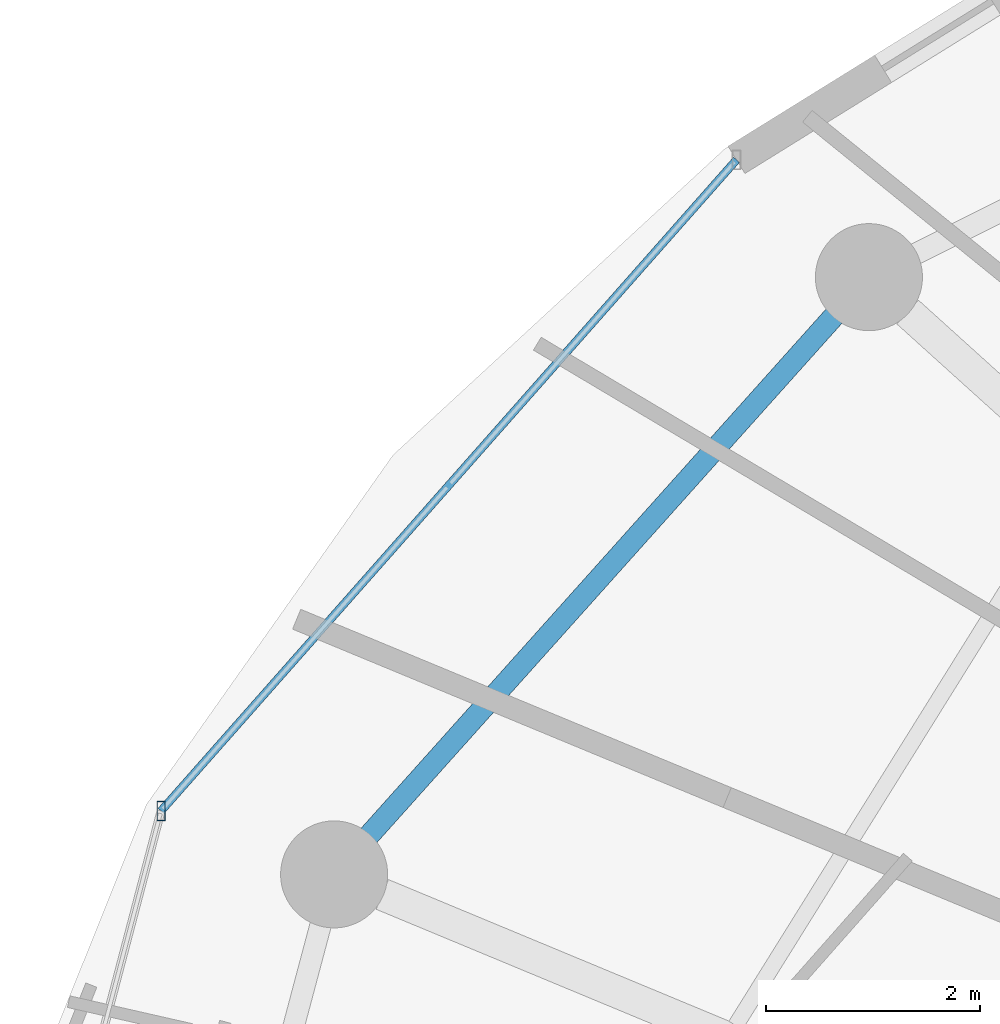
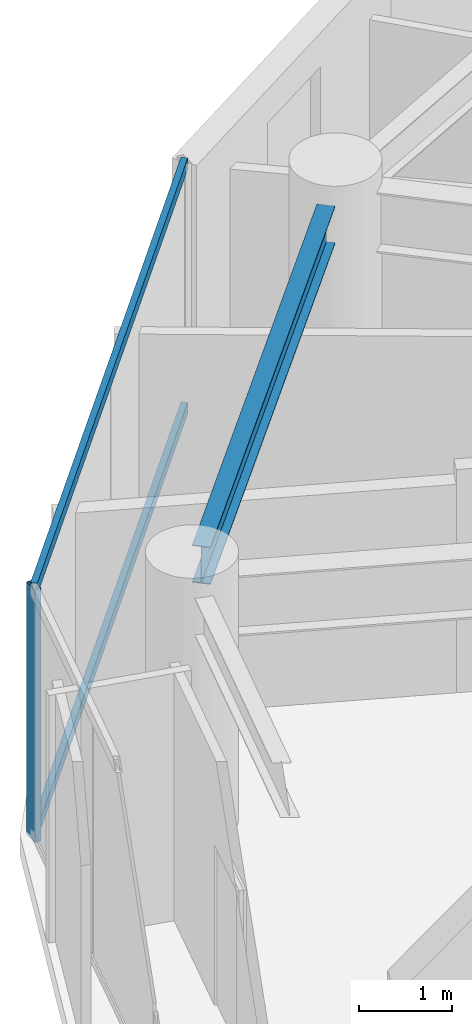
# One storey, part 8 of 28: 3 members, 1 beam, 1 element without a shape of its own.
"""IFC4 building model written with IfcOpenShell, lengths in metres."""

from ifc_helpers import new_model, si_unit, direction, frame, origin, origin_2d, place, context, subcontext, project, spatial, hollow_rectangle, i_section, extrude, material, material_profile, profile_set, type_object, element, aggregate, save


model = new_model("IFC4")

# Units and contexts
model_context = context("Model", 3, precision=1e-05, world=origin(), true_north=direction((0.0, 1.0)))
body_context = subcontext(model_context, "Body", "Model", "MODEL_VIEW")
ifc_project = project(units=[si_unit("LENGTHUNIT", "METRE"), si_unit("AREAUNIT", "SQUARE_METRE"), si_unit("VOLUMEUNIT", "CUBIC_METRE"), si_unit("PLANEANGLEUNIT", "RADIAN"), si_unit("MASSUNIT", "GRAM", prefix="KILO")], contexts=[model_context])

# Site, building, storey
site_placement = place(None, origin())
site = spatial("IfcSite", under=ifc_project, at=site_placement, CompositionType="ELEMENT")
building_placement = place(site_placement, origin())
building = spatial("IfcBuilding", under=site, at=building_placement, Name="Vorneva Point Tower", CompositionType="ELEMENT")
storey_placement = place(building_placement, frame((0.0, 0.0, 143.10009765625)))
storey = spatial("IfcBuildingStorey", under=building, at=storey_placement, Name="L38", CompositionType="ELEMENT", Elevation=143.10009765625)

# Beam
ifc_material_1 = material(Name="Steel S355", Category="steel")
ifc_material_profile_1 = material_profile(ifc_material_1, i_section(OverallWidth=0.199951171875, OverallDepth=0.491943359375, WebThickness=0.0087890625, FlangeThickness=0.011962890625, at=origin_2d()), Name="50B1")
ifc_profile_set_1 = profile_set([ifc_material_profile_1], Name="Steel S355")
beam_type = type_object("IfcBeamType", Name="BM-SPN-50B1", PredefinedType="SPANDREL", material=ifc_profile_set_1)
beam_placement = place(storey_placement, frame((21.377685546875, 37.80078125, 2.993896484375), z_axis=(-0.667111118975, -0.74495822362, 0.0), x_axis=(0.74495822362, -0.667111118975, 0.0)))
element("IfcBeam", 1, at=beam_placement, inside=storey, type_object=beam_type, Name="L38 Perimeter Spandrel Ring Beam 07", PredefinedType="SPANDREL", context=body_context, shape_type="SweptSolid", body=[
    extrude(i_section(OverallWidth=0.199951171875, OverallDepth=0.491943359375, WebThickness=0.0087890625, FlangeThickness=0.011962890625, at=origin_2d()), origin(), (0.0, 0.0, 1.0), 6.52001953125),
])

# Curtain wall, members
ifc_material_2 = material(Name="Pale anodised aluminium", Category="aluminium")
curtain_wall_type = type_object("IfcCurtainWallType", Name="CW-RES-SYS", PredefinedType="NOTDEFINED", material=ifc_material_2)
curtain_wall_placement = place(storey_placement, origin())
curtain_wall = element("IfcCurtainWall", 2, at=curtain_wall_placement, inside=storey, type_object=curtain_wall_type, Name="L38 Unitised Curtain Wall CW-L38-R02", PredefinedType="NOTDEFINED")
ifc_material_profile_2 = material_profile(ifc_material_2, hollow_rectangle(XDim=0.074951171875, YDim=0.179931640625, WallThickness=0.00390625, at=origin_2d()), Name="AL-MUL 180x75x4")
ifc_profile_set_2 = profile_set([ifc_material_profile_2], Name="Pale anodised aluminium")
member_type_1 = type_object("IfcMemberType", Name="CW-MUL-180", PredefinedType="MULLION", material=ifc_profile_set_2)
member_1_placement = place(storey_placement, frame((15.087890625, 33.17529296875, -0.0400390625), z_axis=(0.0, 0.0, 1.0), x_axis=(1.0, 0.0, 0.0)))
member_1 = element("IfcMember", 3, at=member_1_placement, type_object=member_type_1, Name="CW-L38-R02 Mullion 02", PredefinedType="MULLION", context=body_context, shape_type="SweptSolid", body=[
    extrude(hollow_rectangle(XDim=0.074951171875, YDim=0.179931640625, WallThickness=0.00390625, at=origin_2d()), origin(), (0.0, 0.0, 1.0), 3.31005859375),
])
ifc_material_profile_3 = material_profile(ifc_material_2, hollow_rectangle(XDim=0.074951171875, YDim=0.14990234375, WallThickness=0.00390625, at=origin_2d()), Name="AL-TRN 150x75x4")
ifc_profile_set_3 = profile_set([ifc_material_profile_3], Name="Pale anodised aluminium")
member_type_2 = type_object("IfcMemberType", Name="CW-TRN-150", PredefinedType="USERDEFINED", material=ifc_profile_set_3)
member_2_placement = place(storey_placement, frame((20.4638671875, 39.25830078125, 0.02001953125), z_axis=(-0.662218216609, -0.749311039283, 0.0), x_axis=(0.749311039283, -0.662218216609, 0.0)))
member_2 = element("IfcMember", 4, at=member_2_placement, type_object=member_type_2, Name="CW-L38-R02 Transom 01.1", ObjectType="TRANSOM", PredefinedType="USERDEFINED", context=body_context, shape_type="SweptSolid", body=[
    extrude(hollow_rectangle(XDim=0.074951171875, YDim=0.14990234375, WallThickness=0.00390625, at=origin_2d()), origin(), (0.0, 0.0, 1.0), 8.1181640625),
])
member_3_placement = place(storey_placement, frame((20.4638671875, 39.25830078125, 3.219970703125), z_axis=(-0.662218216609, -0.749311039283, 0.0), x_axis=(0.749311039283, -0.662218216609, 0.0)))
member_3 = element("IfcMember", 5, at=member_3_placement, type_object=member_type_2, Name="CW-L38-R02 Transom 01.2", ObjectType="TRANSOM", PredefinedType="USERDEFINED", context=body_context, shape_type="SweptSolid", body=[
    extrude(hollow_rectangle(XDim=0.074951171875, YDim=0.14990234375, WallThickness=0.00390625, at=origin_2d()), origin(), (0.0, 0.0, 1.0), 8.1181640625),
])
aggregate(curtain_wall, [member_1, member_2, member_3])

save(model, "model.ifc")
